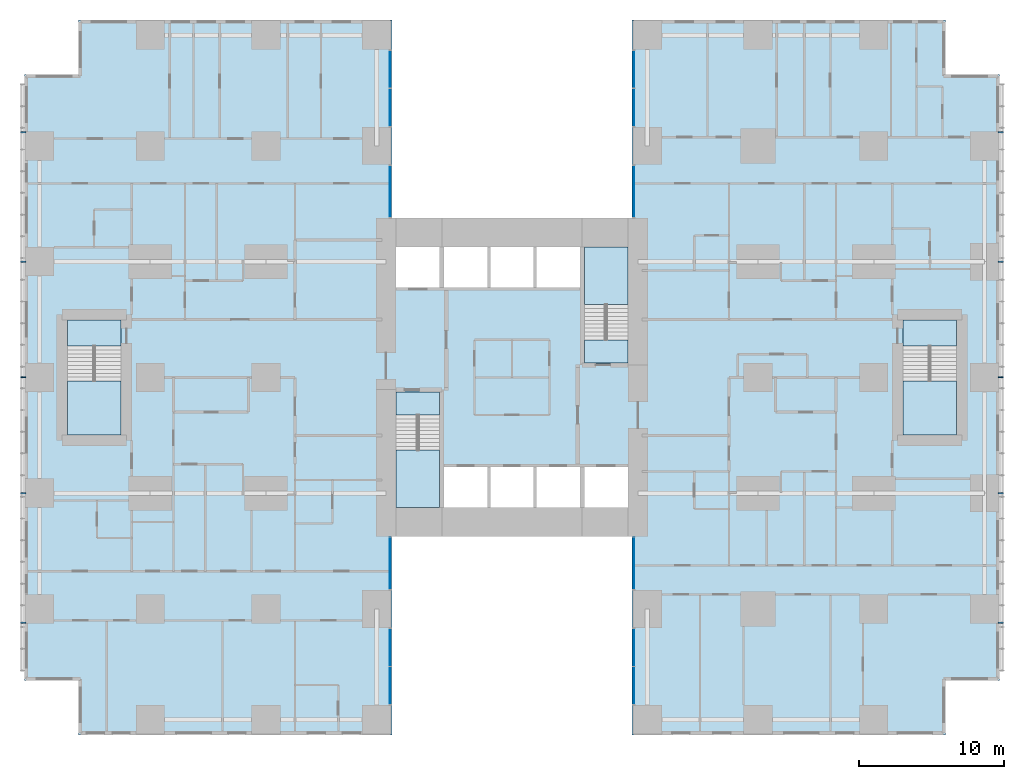
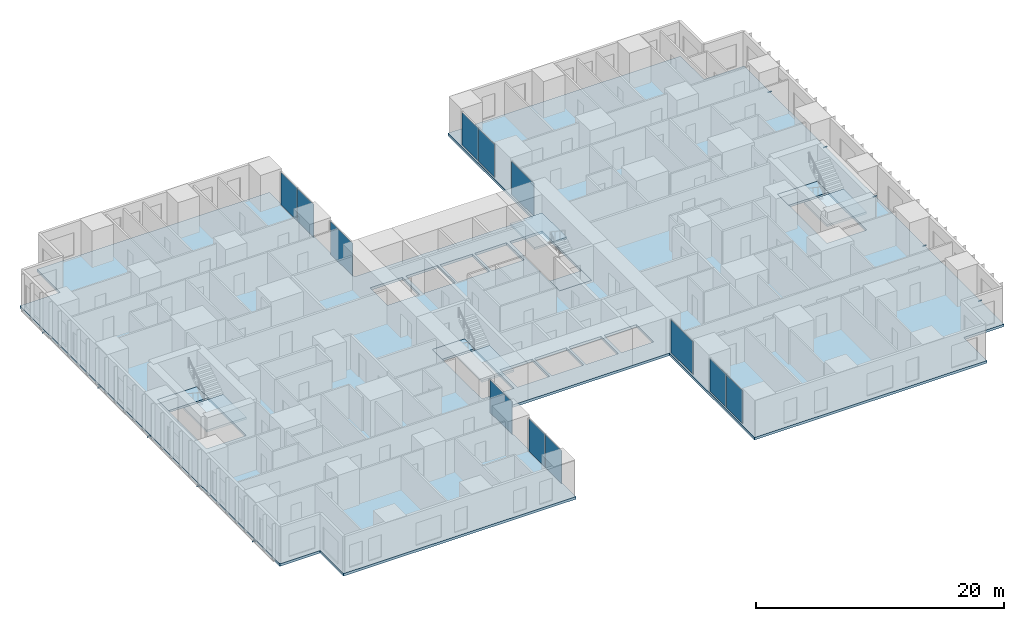
# One storey, part 7 of 20: 12 plates, 10 members, 9 slabs, 12 elements without a shape of their own.
"""IFC4 building model written with IfcOpenShell, lengths in metres."""

from ifc_helpers import new_model, si_unit, direction, frame, origin, origin_2d, place, context, subcontext, project, spatial, polyline, rectangle, hollow_rectangle, outline, extrude, material, layer, layer_set, material_profile, profile_set, type_object, element, aggregate, save


model = new_model("IFC4")

# Units and contexts
model_context = context("Model", 3, precision=1e-05, world=origin(), true_north=direction((0.0, 1.0)))
body_context = subcontext(model_context, "Body", "Model", "MODEL_VIEW")
ifc_project = project(units=[si_unit("LENGTHUNIT", "METRE"), si_unit("AREAUNIT", "SQUARE_METRE"), si_unit("VOLUMEUNIT", "CUBIC_METRE"), si_unit("PLANEANGLEUNIT", "RADIAN"), si_unit("MASSUNIT", "GRAM", prefix="KILO")], contexts=[model_context])

# Site, building, storey
site_placement = place(None, origin())
site = spatial("IfcSite", under=ifc_project, at=site_placement, CompositionType="ELEMENT")
building_placement = place(site_placement, origin())
building = spatial("IfcBuilding", under=site, at=building_placement, Name="Cleftline Residences", CompositionType="ELEMENT")
storey_placement = place(building_placement, frame((0.0, 0.0, 164.60009765625)))
storey = spatial("IfcBuildingStorey", under=building, at=storey_placement, Name="L43", CompositionType="ELEMENT", Elevation=164.60009765625)

# Members
ifc_material_1 = material(Name="Steel S355, hot-dip galvanised", Category="steel")
ifc_material_profile = material_profile(ifc_material_1, hollow_rectangle(XDim=0.10009765625, YDim=0.10009765625, WallThickness=0.008056640625, InnerFilletRadius=0.008056640625, OuterFilletRadius=0.011962890625, at=origin_2d()))
ifc_profile_set = profile_set([ifc_material_profile], Name="Steel S355, hot-dip galvanised")
member_type = type_object("IfcMemberType", Name="BAGUETTE BRACKET SHS 100X100X8", PredefinedType="USERDEFINED", material=ifc_profile_set)
for number, where, z_axis, x_axis, name in (
    (1, (66.60009765625, 7.050048828125, -0.150146484375), (1.0, 0.0, 0.0), (0.0, 1.0, 0.0), "Baguette bracket"),
    (2, (66.60009765625, 16.0, -0.150146484375), (1.0, 0.0, 0.0), (0.0, 1.0, 0.0), "Baguette bracket"),
    (3, (66.60009765625, 24.0, -0.150146484375), (1.0, 0.0, 0.0), (0.0, 1.0, 0.0), "Baguette bracket"),
    (4, (66.60009765625, 32.0, -0.150146484375), (1.0, 0.0, 0.0), (0.0, 1.0, 0.0), "Baguette bracket"),
    (5, (66.60009765625, 40.949951171875, -0.150146484375), (1.0, 0.0, 0.0), (0.0, 1.0, 0.0), "Baguette bracket"),
    (6, (-0.60009765625, 40.949951171875, -0.150146484375), (-1.0, 0.0, 0.0), (0.0, -1.0, 0.0), "Baguette bracket"),
    (7, (-0.60009765625, 32.0, -0.150146484375), (-1.0, 0.0, 0.0), (0.0, -1.0, 0.0), "Baguette bracket"),
    (8, (-0.60009765625, 24.0, -0.150146484375), (-1.0, 0.0, 0.0), (0.0, -1.0, 0.0), "Baguette bracket"),
    (9, (-0.60009765625, 16.0, -0.150146484375), (-1.0, 0.0, 0.0), (0.0, -1.0, 0.0), "Baguette bracket"),
    (10, (-0.60009765625, 7.050048828125, -0.150146484375), (-1.0, 0.0, 0.0), (0.0, -1.0, 0.0), "Baguette bracket"),
):
    element("IfcMember", number, at=place(storey_placement, frame(where, z_axis=z_axis, x_axis=x_axis)), inside=storey, type_object=member_type, Name=name, ObjectType="BAGUETTE BRACKET", PredefinedType="USERDEFINED", context=body_context, shape_type="SweptSolid", body=[
        extrude(hollow_rectangle(XDim=0.10009765625, YDim=0.10009765625, WallThickness=0.008056640625, InnerFilletRadius=0.008056640625, OuterFilletRadius=0.011962890625, at=origin_2d()), origin(), (0.0, 0.0, 1.0), 0.349853515625),
    ])

# Curtain wall, plates
ifc_material_2 = material(Name="Aluminium framed curtain wall", Category="aluminium")
ifc_layer_1 = layer(ifc_material_2, 0.199951171875)
ifc_layer_set_1 = layer_set([ifc_layer_1], Name="CW1 CLEFT GLAZING")
curtain_wall_type = type_object("IfcCurtainWallType", Name="CW1 CLEFT GLAZING", PredefinedType="NOTDEFINED", material=ifc_layer_set_1)
curtain_wall_1_placement = place(storey_placement, origin())
curtain_wall_1 = element("IfcCurtainWall", 11, at=curtain_wall_1_placement, inside=storey, type_object=curtain_wall_type, Name="Curtain wall CW1", PredefinedType="NOTDEFINED")
ifc_material_3 = material(Name="Laminated clear glass", Category="glass")
ifc_layer_2 = layer(ifc_material_3, 0.028076171875)
ifc_layer_set_2 = layer_set([ifc_layer_2], Name="CW1 GLASS PANEL")
plate_type = type_object("IfcPlateType", Name="CW1 GLASS PANEL", PredefinedType="CURTAIN_PANEL", material=ifc_layer_set_2)
plate_1_placement = place(storey_placement, frame((24.574951171875, 2.702392578125, 0.059814453125), z_axis=(0.0, 0.0, 1.0), x_axis=(0.0, 1.0, 0.0)))
plate_1 = element("IfcPlate", 12, at=plate_1_placement, type_object=plate_type, Name="CW1 panel 1.1", PredefinedType="CURTAIN_PANEL", context=body_context, shape_type="SweptSolid", body=[
    extrude(rectangle(XDim=2.5849609375, YDim=0.028076171875, at=origin_2d()), origin(), (0.0, 0.0, 1.0), 3.22998046875),
])
plate_2_placement = place(storey_placement, frame((24.574951171875, 5.347412109375, 0.059814453125), z_axis=(0.0, 0.0, 1.0), x_axis=(0.0, 1.0, 0.0)))
plate_2 = element("IfcPlate", 13, at=plate_2_placement, type_object=plate_type, Name="CW1 panel 2.1", PredefinedType="CURTAIN_PANEL", context=body_context, shape_type="SweptSolid", body=[
    extrude(rectangle(XDim=2.5849609375, YDim=0.028076171875, at=origin_2d()), origin(), (0.0, 0.0, 1.0), 3.22998046875),
])
aggregate(curtain_wall_1, [plate_1, plate_2])

# Curtain wall, plate
curtain_wall_2_placement = place(storey_placement, origin())
curtain_wall_2 = element("IfcCurtainWall", 14, at=curtain_wall_2_placement, inside=storey, type_object=curtain_wall_type, Name="Curtain wall CW1", PredefinedType="NOTDEFINED")
plate_3_placement = place(storey_placement, frame((24.574951171875, 11.14990234375, 0.059814453125), z_axis=(0.0, 0.0, 1.0), x_axis=(0.0, 1.0, 0.0)))
plate_3 = element("IfcPlate", 15, at=plate_3_placement, type_object=plate_type, Name="CW1 panel 1.1", PredefinedType="CURTAIN_PANEL", context=body_context, shape_type="SweptSolid", body=[
    extrude(rectangle(XDim=3.580078125, YDim=0.028076171875, at=origin_2d()), origin(), (0.0, 0.0, 1.0), 3.22998046875),
])
aggregate(curtain_wall_2, [plate_3])

curtain_wall_3_placement = place(storey_placement, origin())
curtain_wall_3 = element("IfcCurtainWall", 16, at=curtain_wall_3_placement, inside=storey, type_object=curtain_wall_type, Name="Curtain wall CW1", PredefinedType="NOTDEFINED")
plate_4_placement = place(storey_placement, frame((41.425048828125, 11.14990234375, 0.059814453125), z_axis=(0.0, 0.0, 1.0), x_axis=(0.0, -1.0, 0.0)))
plate_4 = element("IfcPlate", 17, at=plate_4_placement, type_object=plate_type, Name="CW1 panel 1.1", PredefinedType="CURTAIN_PANEL", context=body_context, shape_type="SweptSolid", body=[
    extrude(rectangle(XDim=3.580078125, YDim=0.028076171875, at=origin_2d()), origin(), (0.0, 0.0, 1.0), 3.22998046875),
])
aggregate(curtain_wall_3, [plate_4])

# Curtain wall, plates
curtain_wall_4_placement = place(storey_placement, origin())
curtain_wall_4 = element("IfcCurtainWall", 18, at=curtain_wall_4_placement, inside=storey, type_object=curtain_wall_type, Name="Curtain wall CW1", PredefinedType="NOTDEFINED")
plate_5_placement = place(storey_placement, frame((41.425048828125, 5.347412109375, 0.059814453125), z_axis=(0.0, 0.0, 1.0), x_axis=(0.0, -1.0, 0.0)))
plate_5 = element("IfcPlate", 19, at=plate_5_placement, type_object=plate_type, Name="CW1 panel 1.1", PredefinedType="CURTAIN_PANEL", context=body_context, shape_type="SweptSolid", body=[
    extrude(rectangle(XDim=2.5849609375, YDim=0.028076171875, at=origin_2d()), origin(), (0.0, 0.0, 1.0), 3.22998046875),
])
plate_6_placement = place(storey_placement, frame((41.425048828125, 2.702392578125, 0.059814453125), z_axis=(0.0, 0.0, 1.0), x_axis=(0.0, -1.0, 0.0)))
plate_6 = element("IfcPlate", 20, at=plate_6_placement, type_object=plate_type, Name="CW1 panel 2.1", PredefinedType="CURTAIN_PANEL", context=body_context, shape_type="SweptSolid", body=[
    extrude(rectangle(XDim=2.5849609375, YDim=0.028076171875, at=origin_2d()), origin(), (0.0, 0.0, 1.0), 3.22998046875),
])
aggregate(curtain_wall_4, [plate_5, plate_6])

curtain_wall_5_placement = place(storey_placement, origin())
curtain_wall_5 = element("IfcCurtainWall", 21, at=curtain_wall_5_placement, inside=storey, type_object=curtain_wall_type, Name="Curtain wall CW1", PredefinedType="NOTDEFINED")
plate_7_placement = place(storey_placement, frame((41.425048828125, 45.297607421875, 0.059814453125), z_axis=(0.0, 0.0, 1.0), x_axis=(0.0, -1.0, 0.0)))
plate_7 = element("IfcPlate", 22, at=plate_7_placement, type_object=plate_type, Name="CW1 panel 1.1", PredefinedType="CURTAIN_PANEL", context=body_context, shape_type="SweptSolid", body=[
    extrude(rectangle(XDim=2.5849609375, YDim=0.028076171875, at=origin_2d()), origin(), (0.0, 0.0, 1.0), 3.22998046875),
])
plate_8_placement = place(storey_placement, frame((41.425048828125, 42.652587890625, 0.059814453125), z_axis=(0.0, 0.0, 1.0), x_axis=(0.0, -1.0, 0.0)))
plate_8 = element("IfcPlate", 23, at=plate_8_placement, type_object=plate_type, Name="CW1 panel 2.1", PredefinedType="CURTAIN_PANEL", context=body_context, shape_type="SweptSolid", body=[
    extrude(rectangle(XDim=2.5849609375, YDim=0.028076171875, at=origin_2d()), origin(), (0.0, 0.0, 1.0), 3.22998046875),
])
aggregate(curtain_wall_5, [plate_7, plate_8])

# Curtain wall, plate
curtain_wall_6_placement = place(storey_placement, origin())
curtain_wall_6 = element("IfcCurtainWall", 24, at=curtain_wall_6_placement, inside=storey, type_object=curtain_wall_type, Name="Curtain wall CW1", PredefinedType="NOTDEFINED")
plate_9_placement = place(storey_placement, frame((41.425048828125, 36.85009765625, 0.059814453125), z_axis=(0.0, 0.0, 1.0), x_axis=(0.0, -1.0, 0.0)))
plate_9 = element("IfcPlate", 25, at=plate_9_placement, type_object=plate_type, Name="CW1 panel 1.1", PredefinedType="CURTAIN_PANEL", context=body_context, shape_type="SweptSolid", body=[
    extrude(rectangle(XDim=3.580078125, YDim=0.028076171875, at=origin_2d()), origin(), (0.0, 0.0, 1.0), 3.22998046875),
])
aggregate(curtain_wall_6, [plate_9])

curtain_wall_7_placement = place(storey_placement, origin())
curtain_wall_7 = element("IfcCurtainWall", 26, at=curtain_wall_7_placement, inside=storey, type_object=curtain_wall_type, Name="Curtain wall CW1", PredefinedType="NOTDEFINED")
plate_10_placement = place(storey_placement, frame((24.574951171875, 36.85009765625, 0.059814453125), z_axis=(0.0, 0.0, 1.0), x_axis=(0.0, 1.0, 0.0)))
plate_10 = element("IfcPlate", 27, at=plate_10_placement, type_object=plate_type, Name="CW1 panel 1.1", PredefinedType="CURTAIN_PANEL", context=body_context, shape_type="SweptSolid", body=[
    extrude(rectangle(XDim=3.580078125, YDim=0.028076171875, at=origin_2d()), origin(), (0.0, 0.0, 1.0), 3.22998046875),
])
aggregate(curtain_wall_7, [plate_10])

# Curtain wall, plates
curtain_wall_8_placement = place(storey_placement, origin())
curtain_wall_8 = element("IfcCurtainWall", 28, at=curtain_wall_8_placement, inside=storey, type_object=curtain_wall_type, Name="Curtain wall CW1", PredefinedType="NOTDEFINED")
plate_11_placement = place(storey_placement, frame((24.574951171875, 42.652587890625, 0.059814453125), z_axis=(0.0, 0.0, 1.0), x_axis=(0.0, 1.0, 0.0)))
plate_11 = element("IfcPlate", 29, at=plate_11_placement, type_object=plate_type, Name="CW1 panel 1.1", PredefinedType="CURTAIN_PANEL", context=body_context, shape_type="SweptSolid", body=[
    extrude(rectangle(XDim=2.5849609375, YDim=0.028076171875, at=origin_2d()), origin(), (0.0, 0.0, 1.0), 3.22998046875),
])
plate_12_placement = place(storey_placement, frame((24.574951171875, 45.297607421875, 0.059814453125), z_axis=(0.0, 0.0, 1.0), x_axis=(0.0, 1.0, 0.0)))
plate_12 = element("IfcPlate", 30, at=plate_12_placement, type_object=plate_type, Name="CW1 panel 2.1", PredefinedType="CURTAIN_PANEL", context=body_context, shape_type="SweptSolid", body=[
    extrude(rectangle(XDim=2.5849609375, YDim=0.028076171875, at=origin_2d()), origin(), (0.0, 0.0, 1.0), 3.22998046875),
])
aggregate(curtain_wall_8, [plate_11, plate_12])

# Slab
ifc_material_4 = material(Name="Concrete B45", Category="concrete")
ifc_layer_3 = layer(ifc_material_4, 0.25)
ifc_layer_set_3 = layer_set([ifc_layer_3], Name="FLOOR SLAB 250")
slab_type_1 = type_object("IfcSlabType", Name="FLOOR SLAB 250", PredefinedType="FLOOR", material=ifc_layer_set_3)
slab_1_placement = place(storey_placement, frame((0.0, 0.0, -0.25)))
element("IfcSlab", 31, at=slab_1_placement, inside=storey, type_object=slab_type_1, Name="Floor slab L43", PredefinedType="FLOOR", context=body_context, shape_type="SweptSolid", body=[
    extrude(outline(polyline([(24.699951171875, 13.0), (41.300048828125, 13.0), (41.300048828125, -0.699951171875), (62.949951171875, -0.699951171875), (62.949951171875, 3.050048828125), (66.699951171875, 3.050048828125), (66.699951171875, 44.949951171875), (62.949951171875, 44.949951171875), (62.949951171875, 48.699951171875), (41.300048828125, 48.699951171875), (41.300048828125, 35.0), (24.699951171875, 35.0), (24.699951171875, 48.699951171875), (3.050048828125, 48.699951171875), (3.050048828125, 44.949951171875), (-0.699951171875, 44.949951171875), (-0.699951171875, 3.050048828125), (3.050048828125, 3.050048828125), (3.050048828125, -0.699951171875), (24.699951171875, -0.699951171875), (24.699951171875, 13.0)]), holes=[polyline([(28.0, 15.0), (28.0, 23.0), (25.0, 23.0), (25.0, 15.0), (28.0, 15.0)]), polyline([(41.0, 25.0), (41.0, 33.0), (38.0, 33.0), (38.0, 25.0), (41.0, 25.0)]), polyline([(28.0, 30.199951171875), (28.0, 33.0), (25.0, 33.0), (25.0, 30.199951171875), (28.0, 30.199951171875)]), polyline([(41.0, 15.0), (41.0, 17.800048828125), (38.0, 17.800048828125), (38.0, 15.0), (41.0, 15.0)]), polyline([(31.300048828125, 15.0), (31.300048828125, 17.800048828125), (28.300048828125, 17.800048828125), (28.300048828125, 15.0), (31.300048828125, 15.0)]), polyline([(34.5, 15.0), (34.5, 17.800048828125), (31.5, 17.800048828125), (31.5, 15.0), (34.5, 15.0)]), polyline([(37.699951171875, 15.0), (37.699951171875, 17.800048828125), (34.699951171875, 17.800048828125), (34.699951171875, 15.0), (37.699951171875, 15.0)]), polyline([(31.300048828125, 30.199951171875), (31.300048828125, 33.0), (28.300048828125, 33.0), (28.300048828125, 30.199951171875), (31.300048828125, 30.199951171875)]), polyline([(34.5, 30.199951171875), (34.5, 33.0), (31.5, 33.0), (31.5, 30.199951171875), (34.5, 30.199951171875)]), polyline([(37.699951171875, 30.199951171875), (37.699951171875, 33.0), (34.699951171875, 33.0), (34.699951171875, 30.199951171875), (37.699951171875, 30.199951171875)]), polyline([(63.72509765625, 20.02490234375), (63.72509765625, 27.97509765625), (60.02490234375, 27.97509765625), (60.02490234375, 20.02490234375), (63.72509765625, 20.02490234375)]), polyline([(5.97509765625, 20.02490234375), (5.97509765625, 27.97509765625), (2.27490234375, 27.97509765625), (2.27490234375, 20.02490234375), (5.97509765625, 20.02490234375)])]), origin(), (0.0, 0.0, 1.0), 0.25),
])

# Stair, slabs
ifc_material_5 = material(Name="Concrete B45, stone treads", Category="masonry")
stair_type_1 = type_object("IfcStairType", Name="STAIR A 1450 WIDE 180 RISER", PredefinedType="HALF_TURN_STAIR", material=ifc_material_5)
stair_1_placement = place(storey_placement, origin())
stair_1 = element("IfcStair", 32, at=stair_1_placement, inside=storey, type_object=stair_type_1, Name="Stair A L43", PredefinedType="HALF_TURN_STAIR")
ifc_material_6 = material(Name="Concrete B45", Category="concrete")
ifc_layer_4 = layer(ifc_material_6, 0.199951171875)
ifc_layer_set_4 = layer_set([ifc_layer_4], Name="STAIR LANDING 200")
slab_type_2 = type_object("IfcSlabType", Name="STAIR LANDING 200", PredefinedType="LANDING", material=ifc_layer_set_4)
slab_2_placement = place(storey_placement, frame((0.0, 0.0, -0.2001953125)))
slab_2 = element("IfcSlab", 33, at=slab_2_placement, type_object=slab_type_2, Name="ST-A landing 1", PredefinedType="LANDING", context=body_context, shape_type="SweptSolid", body=[
    extrude(outline(polyline([(25.0, 21.39990234375), (28.0, 21.39990234375), (28.0, 23.0), (25.0, 23.0), (25.0, 21.39990234375)])), origin(), (0.0, 0.0, 1.0), 0.2001953125),
])
slab_3_placement = place(storey_placement, frame((0.0, 0.0, 1.599853515625)))
slab_3 = element("IfcSlab", 34, at=slab_3_placement, type_object=slab_type_2, Name="ST-A landing 2", PredefinedType="LANDING", context=body_context, shape_type="SweptSolid", body=[
    extrude(outline(polyline([(25.0, 15.0), (28.0, 15.0), (28.0, 18.969970703125), (25.0, 18.969970703125), (25.0, 15.0)])), origin(), (0.0, 0.0, 1.0), 0.199951171875),
])
aggregate(stair_1, [slab_2, slab_3])

ifc_material_7 = material(Name="Concrete B45, stone treads", Category="masonry")
stair_type_2 = type_object("IfcStairType", Name="STAIR B 1450 WIDE 180 RISER", PredefinedType="HALF_TURN_STAIR", material=ifc_material_7)
stair_2_placement = place(storey_placement, origin())
stair_2 = element("IfcStair", 35, at=stair_2_placement, inside=storey, type_object=stair_type_2, Name="Stair B L43", PredefinedType="HALF_TURN_STAIR")
slab_4_placement = place(storey_placement, frame((0.0, 0.0, -0.2001953125)))
slab_4 = element("IfcSlab", 36, at=slab_4_placement, type_object=slab_type_2, Name="ST-B landing 1", PredefinedType="LANDING", context=body_context, shape_type="SweptSolid", body=[
    extrude(outline(polyline([(38.0, 25.0), (41.0, 25.0), (41.0, 26.60009765625), (38.0, 26.60009765625), (38.0, 25.0)])), origin(), (0.0, 0.0, 1.0), 0.2001953125),
])
slab_5_placement = place(storey_placement, frame((0.0, 0.0, 1.599853515625)))
slab_5 = element("IfcSlab", 37, at=slab_5_placement, type_object=slab_type_2, Name="ST-B landing 2", PredefinedType="LANDING", context=body_context, shape_type="SweptSolid", body=[
    extrude(outline(polyline([(38.0, 29.030029296875), (41.0, 29.030029296875), (41.0, 33.0), (38.0, 33.0), (38.0, 29.030029296875)])), origin(), (0.0, 0.0, 1.0), 0.199951171875),
])
aggregate(stair_2, [slab_4, slab_5])

ifc_material_8 = material(Name="Concrete B45, stone treads", Category="masonry")
stair_type_3 = type_object("IfcStairType", Name="STAIR E 1800 WIDE 180 RISER", PredefinedType="HALF_TURN_STAIR", material=ifc_material_8)
stair_3_placement = place(storey_placement, origin())
stair_3 = element("IfcStair", 38, at=stair_3_placement, inside=storey, type_object=stair_type_3, Name="Stair E L43", PredefinedType="HALF_TURN_STAIR")
slab_6_placement = place(storey_placement, frame((0.0, 0.0, -0.2001953125)))
slab_6 = element("IfcSlab", 39, at=slab_6_placement, type_object=slab_type_2, Name="ST-E landing 1", PredefinedType="LANDING", context=body_context, shape_type="SweptSolid", body=[
    extrude(outline(polyline([(60.02490234375, 26.175048828125), (63.72509765625, 26.175048828125), (63.72509765625, 27.97509765625), (60.02490234375, 27.97509765625), (60.02490234375, 26.175048828125)])), origin(), (0.0, 0.0, 1.0), 0.2001953125),
])
slab_7_placement = place(storey_placement, frame((0.0, 0.0, 1.599853515625)))
slab_7 = element("IfcSlab", 40, at=slab_7_placement, type_object=slab_type_2, Name="ST-E landing 2", PredefinedType="LANDING", context=body_context, shape_type="SweptSolid", body=[
    extrude(outline(polyline([(60.02490234375, 20.02490234375), (63.72509765625, 20.02490234375), (63.72509765625, 23.7451171875), (60.02490234375, 23.7451171875), (60.02490234375, 20.02490234375)])), origin(), (0.0, 0.0, 1.0), 0.199951171875),
])
aggregate(stair_3, [slab_6, slab_7])

ifc_material_9 = material(Name="Concrete B45, stone treads", Category="masonry")
stair_type_4 = type_object("IfcStairType", Name="STAIR W 1800 WIDE 180 RISER", PredefinedType="HALF_TURN_STAIR", material=ifc_material_9)
stair_4_placement = place(storey_placement, origin())
stair_4 = element("IfcStair", 41, at=stair_4_placement, inside=storey, type_object=stair_type_4, Name="Stair W L43", PredefinedType="HALF_TURN_STAIR")
slab_8_placement = place(storey_placement, frame((0.0, 0.0, -0.2001953125)))
slab_8 = element("IfcSlab", 42, at=slab_8_placement, type_object=slab_type_2, Name="ST-W landing 1", PredefinedType="LANDING", context=body_context, shape_type="SweptSolid", body=[
    extrude(outline(polyline([(2.27490234375, 26.175048828125), (5.97509765625, 26.175048828125), (5.97509765625, 27.97509765625), (2.27490234375, 27.97509765625), (2.27490234375, 26.175048828125)])), origin(), (0.0, 0.0, 1.0), 0.2001953125),
])
slab_9_placement = place(storey_placement, frame((0.0, 0.0, 1.599853515625)))
slab_9 = element("IfcSlab", 43, at=slab_9_placement, type_object=slab_type_2, Name="ST-W landing 2", PredefinedType="LANDING", context=body_context, shape_type="SweptSolid", body=[
    extrude(outline(polyline([(2.27490234375, 20.02490234375), (5.97509765625, 20.02490234375), (5.97509765625, 23.7451171875), (2.27490234375, 23.7451171875), (2.27490234375, 20.02490234375)])), origin(), (0.0, 0.0, 1.0), 0.199951171875),
])
aggregate(stair_4, [slab_8, slab_9])

save(model, "model.ifc")
